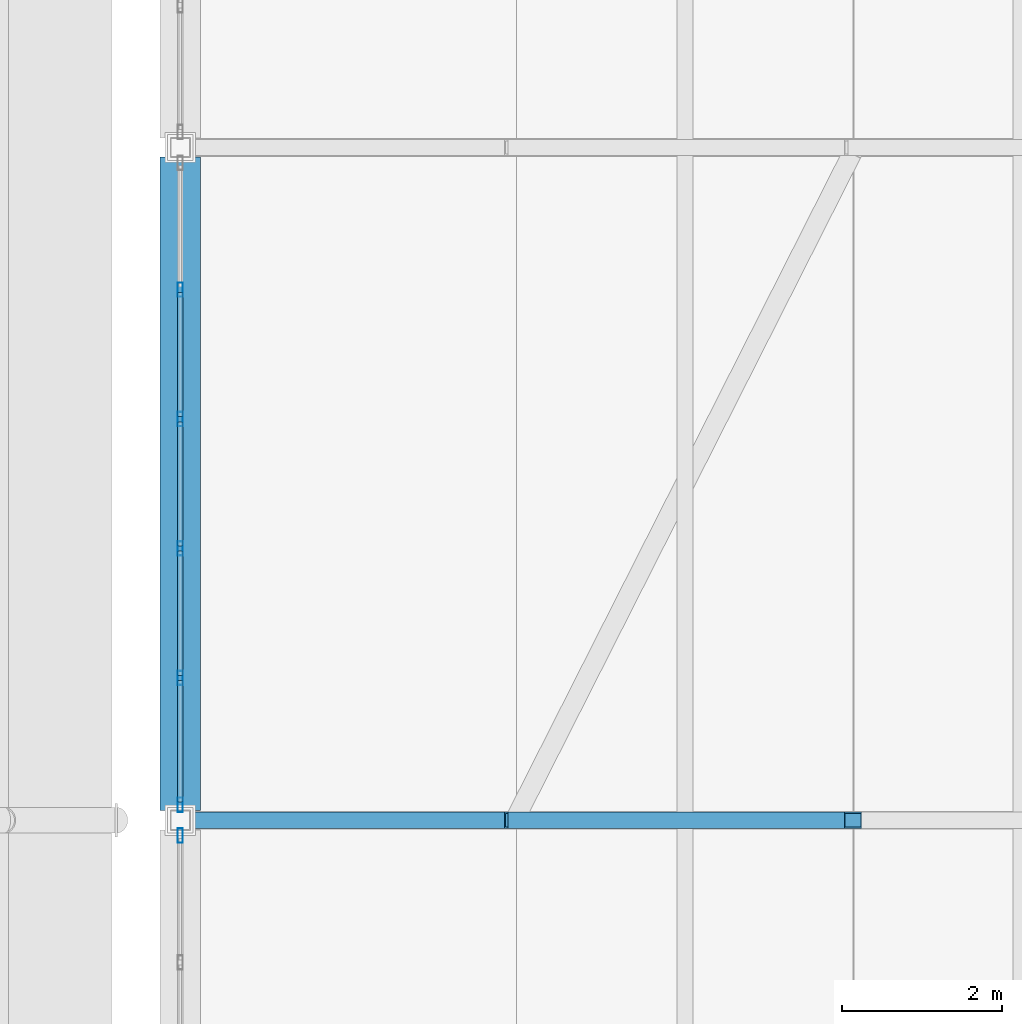
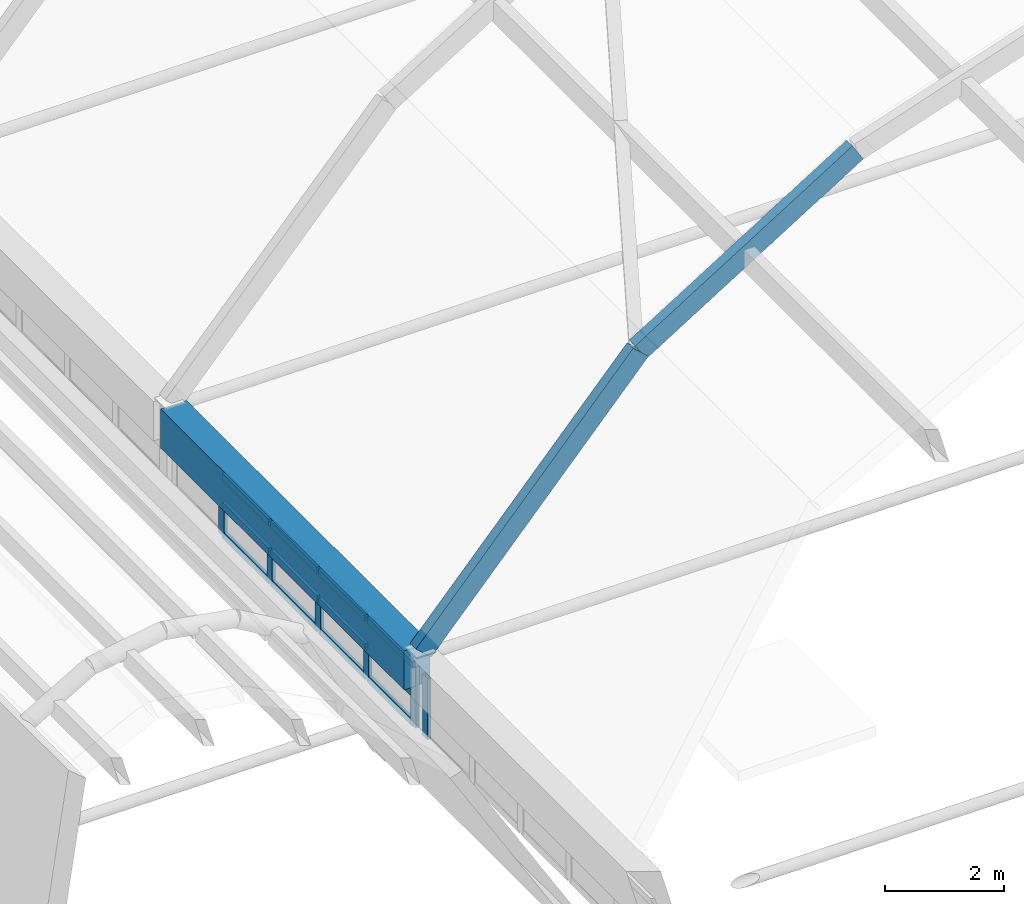
# One storey, part 19 of 114: 18 members, 3 beams, 2 elements without a shape of their own.
"""IFC4 building model written with IfcOpenShell, lengths in metres."""

from ifc_helpers import new_model, si_unit, direction, frame, origin, origin_2d, place, context, subcontext, project, spatial, rectangle, hollow_rectangle, extrude, material, layer, layer_set, material_profile, profile_set, type_object, element, aggregate, save


model = new_model("IFC4")

# Units and contexts
model_context = context("Model", 3, precision=1e-05, world=origin(), true_north=direction((0.0, 1.0)))
body_context = subcontext(model_context, "Body", "Model", "MODEL_VIEW")
ifc_project = project(units=[si_unit("LENGTHUNIT", "METRE"), si_unit("AREAUNIT", "SQUARE_METRE"), si_unit("VOLUMEUNIT", "CUBIC_METRE"), si_unit("PLANEANGLEUNIT", "RADIAN"), si_unit("MASSUNIT", "GRAM", prefix="KILO")], contexts=[model_context])

# Site, building, storey
site_placement = place(None, origin())
site = spatial("IfcSite", under=ifc_project, at=site_placement, CompositionType="ELEMENT")
building_placement = place(site_placement, origin())
building = spatial("IfcBuilding", under=site, at=building_placement, Name="Xazarin Passage Department Store", CompositionType="ELEMENT")
storey_placement = place(building_placement, frame((0.0, 0.0, 14.39990234375)))
storey = spatial("IfcBuildingStorey", under=building, at=storey_placement, Name="L03", CompositionType="ELEMENT", Elevation=14.39990234375)

# Curtain wall, member
ifc_material_1 = material(Name="Bronze anodised aluminium", Category="aluminium")
ifc_layer = layer(ifc_material_1, 0.159912109375)
ifc_layer_set = layer_set([ifc_layer], Name="Bronze anodised aluminium")
curtain_wall_type = type_object("IfcCurtainWallType", Name="ARC-CW-ARC1", PredefinedType="NOTDEFINED", material=ifc_layer_set)
curtain_wall_1_placement = place(storey_placement, origin())
curtain_wall_1 = element("IfcCurtainWall", 1, at=curtain_wall_1_placement, inside=storey, type_object=curtain_wall_type, Name="L03 V2S Galleria Clerestory Curtain Wall 3W", PredefinedType="NOTDEFINED")
ifc_material_profile_1 = material_profile(ifc_material_1, hollow_rectangle(XDim=0.06494140625, YDim=0.179931640625, WallThickness=0.00390625, at=origin_2d()), Name="ALU 65x180")
ifc_profile_set_1 = profile_set([ifc_material_profile_1], Name="Bronze anodised aluminium")
member_type_1 = type_object("IfcMemberType", Name="ARC-CWM-65x180", PredefinedType="MULLION", material=ifc_profile_set_1)
member_1_placement = place(storey_placement, frame((68.0, 25.007568359375, 0.0), z_axis=(0.0, 0.0, 1.0), x_axis=(-1.0, 0.0, 0.0)))
member_1 = element("IfcMember", 2, at=member_1_placement, type_object=member_type_1, Name="CW3 mullion 6", PredefinedType="MULLION", context=body_context, shape_type="SweptSolid", body=[
    extrude(hollow_rectangle(XDim=0.06494140625, YDim=0.179931640625, WallThickness=0.00390625, at=origin_2d()), origin(), (0.0, 0.0, 1.0), 1.251708984375),
])
aggregate(curtain_wall_1, [member_1])

# Curtain wall, members
curtain_wall_2_placement = place(storey_placement, origin())
curtain_wall_2 = element("IfcCurtainWall", 3, at=curtain_wall_2_placement, inside=storey, type_object=curtain_wall_type, Name="L03 V2S Galleria Clerestory Curtain Wall 4W", PredefinedType="NOTDEFINED")
member_2_placement = place(storey_placement, frame((68.0, 25.392578125, 0.0), z_axis=(0.0, 0.0, 1.0), x_axis=(-1.0, 0.0, 0.0)))
member_2 = element("IfcMember", 4, at=member_2_placement, type_object=member_type_1, Name="CW3 mullion 1", PredefinedType="MULLION", context=body_context, shape_type="SweptSolid", body=[
    extrude(hollow_rectangle(XDim=0.06494140625, YDim=0.179931640625, WallThickness=0.00390625, at=origin_2d()), origin(), (0.0, 0.0, 1.0), 1.251708984375),
])
member_3_placement = place(storey_placement, frame((68.0, 26.97607421875, 0.0), z_axis=(0.0, 0.0, 1.0), x_axis=(-1.0, 0.0, 0.0)))
member_3 = element("IfcMember", 5, at=member_3_placement, type_object=member_type_1, Name="CW3 mullion 2", PredefinedType="MULLION", context=body_context, shape_type="SweptSolid", body=[
    extrude(hollow_rectangle(XDim=0.06494140625, YDim=0.179931640625, WallThickness=0.00390625, at=origin_2d()), origin(), (0.0, 0.0, 1.0), 1.251708984375),
])
member_4_placement = place(storey_placement, frame((68.0, 28.592041015625, 0.0), z_axis=(0.0, 0.0, 1.0), x_axis=(-1.0, 0.0, 0.0)))
member_4 = element("IfcMember", 6, at=member_4_placement, type_object=member_type_1, Name="CW3 mullion 3", PredefinedType="MULLION", context=body_context, shape_type="SweptSolid", body=[
    extrude(hollow_rectangle(XDim=0.06494140625, YDim=0.179931640625, WallThickness=0.00390625, at=origin_2d()), origin(), (0.0, 0.0, 1.0), 1.251708984375),
])
member_5_placement = place(storey_placement, frame((68.0, 30.2080078125, 0.0), z_axis=(0.0, 0.0, 1.0), x_axis=(-1.0, 0.0, 0.0)))
member_5 = element("IfcMember", 7, at=member_5_placement, type_object=member_type_1, Name="CW3 mullion 4", PredefinedType="MULLION", context=body_context, shape_type="SweptSolid", body=[
    extrude(hollow_rectangle(XDim=0.06494140625, YDim=0.179931640625, WallThickness=0.00390625, at=origin_2d()), origin(), (0.0, 0.0, 1.0), 1.251708984375),
])
member_6_placement = place(storey_placement, frame((68.0, 31.823974609375, 0.0), z_axis=(0.0, 0.0, 1.0), x_axis=(-1.0, 0.0, 0.0)))
member_6 = element("IfcMember", 8, at=member_6_placement, type_object=member_type_1, Name="CW3 mullion 5", PredefinedType="MULLION", context=body_context, shape_type="SweptSolid", body=[
    extrude(hollow_rectangle(XDim=0.06494140625, YDim=0.179931640625, WallThickness=0.00390625, at=origin_2d()), origin(), (0.0, 0.0, 1.0), 1.251708984375),
])
ifc_material_profile_2 = material_profile(ifc_material_1, hollow_rectangle(XDim=0.06494140625, YDim=0.139892578125, WallThickness=0.00390625, at=origin_2d()), Name="ALU 65x140")
ifc_profile_set_2 = profile_set([ifc_material_profile_2], Name="Bronze anodised aluminium")
member_type_2 = type_object("IfcMemberType", Name="ARC-CWT-65x140", PredefinedType="USERDEFINED", material=ifc_profile_set_2)
member_7_placement = place(storey_placement, frame((68.0, 25.425048828125, 0.03271484375), z_axis=(0.0, 1.0, 0.0), x_axis=(-1.0, 0.0, 0.0)))
member_7 = element("IfcMember", 9, at=member_7_placement, type_object=member_type_2, Name="CW3 transom 1.1", ObjectType="TRANSOM", PredefinedType="USERDEFINED", context=body_context, shape_type="SweptSolid", body=[
    extrude(hollow_rectangle(XDim=0.06494140625, YDim=0.139892578125, WallThickness=0.00390625, at=origin_2d()), origin(), (0.0, 0.0, 1.0), 1.5185546875),
])
member_8_placement = place(storey_placement, frame((68.0, 25.425048828125, 0.6259765625), z_axis=(0.0, 1.0, 0.0), x_axis=(-1.0, 0.0, 0.0)))
member_8 = element("IfcMember", 10, at=member_8_placement, type_object=member_type_2, Name="CW3 transom 1.2", ObjectType="TRANSOM", PredefinedType="USERDEFINED", context=body_context, shape_type="SweptSolid", body=[
    extrude(hollow_rectangle(XDim=0.06494140625, YDim=0.139892578125, WallThickness=0.00390625, at=origin_2d()), origin(), (0.0, 0.0, 1.0), 1.5185546875),
])
member_9_placement = place(storey_placement, frame((68.0, 25.425048828125, 1.21923828125), z_axis=(0.0, 1.0, 0.0), x_axis=(-1.0, 0.0, 0.0)))
member_9 = element("IfcMember", 11, at=member_9_placement, type_object=member_type_2, Name="CW3 transom 1.3", ObjectType="TRANSOM", PredefinedType="USERDEFINED", context=body_context, shape_type="SweptSolid", body=[
    extrude(hollow_rectangle(XDim=0.06494140625, YDim=0.139892578125, WallThickness=0.00390625, at=origin_2d()), origin(), (0.0, 0.0, 1.0), 1.5185546875),
])
member_10_placement = place(storey_placement, frame((68.0, 27.008544921875, 0.03271484375), z_axis=(0.0, 1.0, 0.0), x_axis=(-1.0, 0.0, 0.0)))
member_10 = element("IfcMember", 12, at=member_10_placement, type_object=member_type_2, Name="CW3 transom 2.1", ObjectType="TRANSOM", PredefinedType="USERDEFINED", context=body_context, shape_type="SweptSolid", body=[
    extrude(hollow_rectangle(XDim=0.06494140625, YDim=0.139892578125, WallThickness=0.00390625, at=origin_2d()), origin(), (0.0, 0.0, 1.0), 1.551025390625),
])
member_11_placement = place(storey_placement, frame((68.0, 27.008544921875, 0.6259765625), z_axis=(0.0, 1.0, 0.0), x_axis=(-1.0, 0.0, 0.0)))
member_11 = element("IfcMember", 13, at=member_11_placement, type_object=member_type_2, Name="CW3 transom 2.2", ObjectType="TRANSOM", PredefinedType="USERDEFINED", context=body_context, shape_type="SweptSolid", body=[
    extrude(hollow_rectangle(XDim=0.06494140625, YDim=0.139892578125, WallThickness=0.00390625, at=origin_2d()), origin(), (0.0, 0.0, 1.0), 1.551025390625),
])
member_12_placement = place(storey_placement, frame((68.0, 27.008544921875, 1.21923828125), z_axis=(0.0, 1.0, 0.0), x_axis=(-1.0, 0.0, 0.0)))
member_12 = element("IfcMember", 14, at=member_12_placement, type_object=member_type_2, Name="CW3 transom 2.3", ObjectType="TRANSOM", PredefinedType="USERDEFINED", context=body_context, shape_type="SweptSolid", body=[
    extrude(hollow_rectangle(XDim=0.06494140625, YDim=0.139892578125, WallThickness=0.00390625, at=origin_2d()), origin(), (0.0, 0.0, 1.0), 1.551025390625),
])
member_13_placement = place(storey_placement, frame((68.0, 28.62451171875, 0.03271484375), z_axis=(0.0, 1.0, 0.0), x_axis=(-1.0, 0.0, 0.0)))
member_13 = element("IfcMember", 15, at=member_13_placement, type_object=member_type_2, Name="CW3 transom 3.1", ObjectType="TRANSOM", PredefinedType="USERDEFINED", context=body_context, shape_type="SweptSolid", body=[
    extrude(hollow_rectangle(XDim=0.06494140625, YDim=0.139892578125, WallThickness=0.00390625, at=origin_2d()), origin(), (0.0, 0.0, 1.0), 1.551025390625),
])
member_14_placement = place(storey_placement, frame((68.0, 28.62451171875, 0.6259765625), z_axis=(0.0, 1.0, 0.0), x_axis=(-1.0, 0.0, 0.0)))
member_14 = element("IfcMember", 16, at=member_14_placement, type_object=member_type_2, Name="CW3 transom 3.2", ObjectType="TRANSOM", PredefinedType="USERDEFINED", context=body_context, shape_type="SweptSolid", body=[
    extrude(hollow_rectangle(XDim=0.06494140625, YDim=0.139892578125, WallThickness=0.00390625, at=origin_2d()), origin(), (0.0, 0.0, 1.0), 1.551025390625),
])
member_15_placement = place(storey_placement, frame((68.0, 28.62451171875, 1.21923828125), z_axis=(0.0, 1.0, 0.0), x_axis=(-1.0, 0.0, 0.0)))
member_15 = element("IfcMember", 17, at=member_15_placement, type_object=member_type_2, Name="CW3 transom 3.3", ObjectType="TRANSOM", PredefinedType="USERDEFINED", context=body_context, shape_type="SweptSolid", body=[
    extrude(hollow_rectangle(XDim=0.06494140625, YDim=0.139892578125, WallThickness=0.00390625, at=origin_2d()), origin(), (0.0, 0.0, 1.0), 1.551025390625),
])
member_16_placement = place(storey_placement, frame((68.0, 30.240478515625, 0.03271484375), z_axis=(0.0, 1.0, 0.0), x_axis=(-1.0, 0.0, 0.0)))
member_16 = element("IfcMember", 18, at=member_16_placement, type_object=member_type_2, Name="CW3 transom 4.1", ObjectType="TRANSOM", PredefinedType="USERDEFINED", context=body_context, shape_type="SweptSolid", body=[
    extrude(hollow_rectangle(XDim=0.06494140625, YDim=0.139892578125, WallThickness=0.00390625, at=origin_2d()), origin(), (0.0, 0.0, 1.0), 1.551025390625),
])
member_17_placement = place(storey_placement, frame((68.0, 30.240478515625, 0.6259765625), z_axis=(0.0, 1.0, 0.0), x_axis=(-1.0, 0.0, 0.0)))
member_17 = element("IfcMember", 19, at=member_17_placement, type_object=member_type_2, Name="CW3 transom 4.2", ObjectType="TRANSOM", PredefinedType="USERDEFINED", context=body_context, shape_type="SweptSolid", body=[
    extrude(hollow_rectangle(XDim=0.06494140625, YDim=0.139892578125, WallThickness=0.00390625, at=origin_2d()), origin(), (0.0, 0.0, 1.0), 1.551025390625),
])
member_18_placement = place(storey_placement, frame((68.0, 30.240478515625, 1.21923828125), z_axis=(0.0, 1.0, 0.0), x_axis=(-1.0, 0.0, 0.0)))
member_18 = element("IfcMember", 20, at=member_18_placement, type_object=member_type_2, Name="CW3 transom 4.3", ObjectType="TRANSOM", PredefinedType="USERDEFINED", context=body_context, shape_type="SweptSolid", body=[
    extrude(hollow_rectangle(XDim=0.06494140625, YDim=0.139892578125, WallThickness=0.00390625, at=origin_2d()), origin(), (0.0, 0.0, 1.0), 1.551025390625),
])
aggregate(curtain_wall_2, [member_2, member_3, member_4, member_5, member_6, member_7, member_8, member_9, member_10, member_11, member_12, member_13, member_14, member_15, member_16, member_17, member_18])

# Beams
ifc_material_2 = material(Name="Steel S355", Category="steel")
ifc_material_profile_3 = material_profile(ifc_material_2, hollow_rectangle(XDim=0.199951171875, YDim=0.39990234375, WallThickness=0.01611328125, at=origin_2d()), Name="RHS 400x200x16")
ifc_profile_set_3 = profile_set([ifc_material_profile_3], Name="Steel S355")
beam_type_1 = type_object("IfcBeamType", Name="STR-BM-AR400", PredefinedType="BEAM", material=ifc_profile_set_3)
beam_1_placement = place(storey_placement, frame((68.0, 25.199951171875, 1.65185546875), z_axis=(0.667891545417, 0.0, 0.74425861336), x_axis=(0.0, 1.0, 0.0)))
element("IfcBeam", 21, at=beam_1_placement, inside=storey, type_object=beam_type_1, Name="V2S Primary Arch Rib 4.1", PredefinedType="BEAM", context=body_context, shape_type="SweptSolid", body=[
    extrude(hollow_rectangle(XDim=0.199951171875, YDim=0.39990234375, WallThickness=0.01611328125, at=origin_2d()), origin(), (0.0, 0.0, 1.0), 6.288330078125),
])
beam_2_placement = place(storey_placement, frame((72.199951171875, 25.199951171875, 6.33203125), z_axis=(0.848571440894, 0.0, 0.529080815848), x_axis=(0.0, 1.0, 0.0)))
element("IfcBeam", 22, at=beam_2_placement, inside=storey, type_object=beam_type_1, Name="V2S Primary Arch Rib 4.2", PredefinedType="BEAM", context=body_context, shape_type="SweptSolid", body=[
    extrude(hollow_rectangle(XDim=0.199951171875, YDim=0.39990234375, WallThickness=0.01611328125, at=origin_2d()), origin(), (0.0, 0.0, 1.0), 4.949462890625),
])
ifc_material_3 = material(Name="Concrete C40/50", Category="concrete")
ifc_material_profile_4 = material_profile(ifc_material_3, rectangle(XDim=0.5, YDim=0.800048828125, at=origin_2d()), Name="RC 500x800")
ifc_profile_set_4 = profile_set([ifc_material_profile_4], Name="Concrete C40/50")
beam_type_2 = type_object("IfcBeamType", Name="STR-BM-RG500x800", PredefinedType="BEAM", material=ifc_profile_set_4)
beam_3_placement = place(storey_placement, frame((68.0, 25.320068359375, 1.251708984375), z_axis=(0.0, 1.0, 0.0), x_axis=(-1.0, 0.0, 0.0)))
element("IfcBeam", 23, at=beam_3_placement, inside=storey, type_object=beam_type_2, Name="V2S Springing Ring Girder W-4", PredefinedType="BEAM", context=body_context, shape_type="SweptSolid", body=[
    extrude(rectangle(XDim=0.5, YDim=0.800048828125, at=origin_2d()), origin(), (0.0, 0.0, 1.0), 8.159912109375),
])

save(model, "model.ifc")
